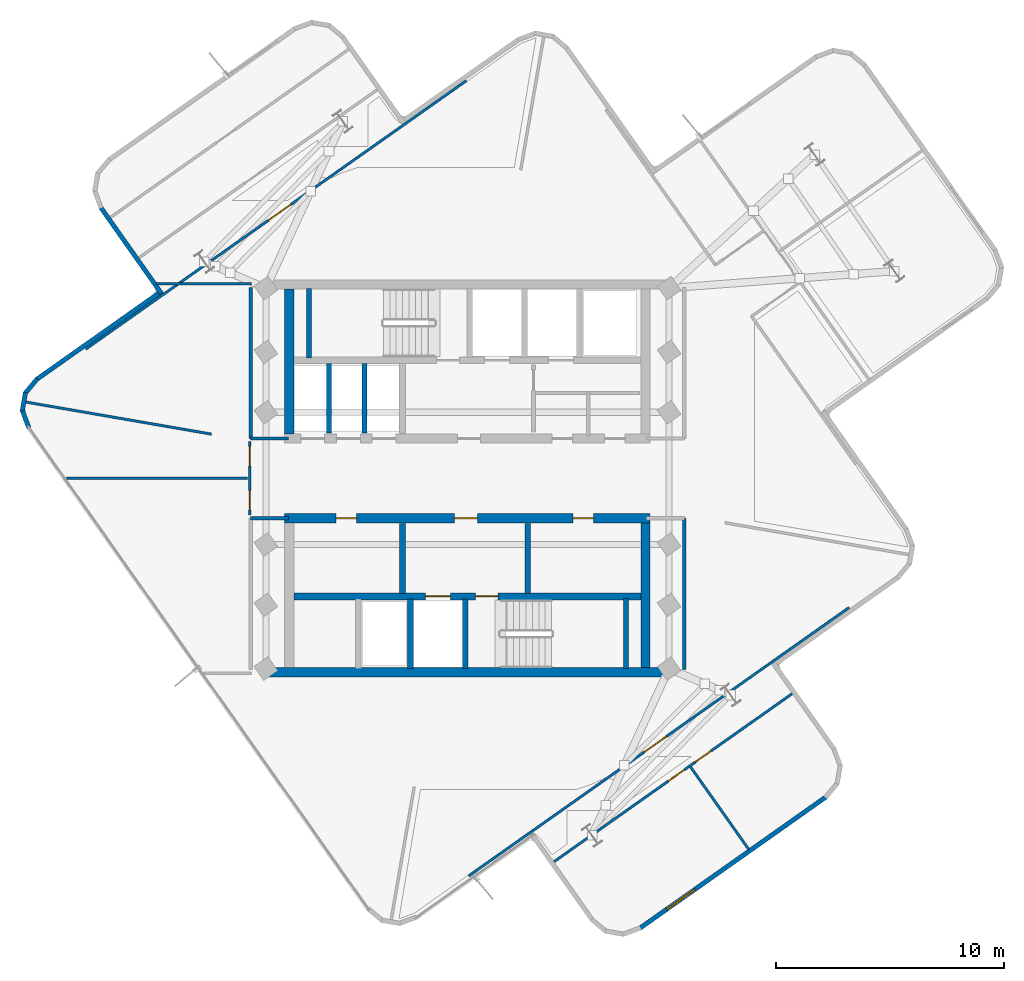
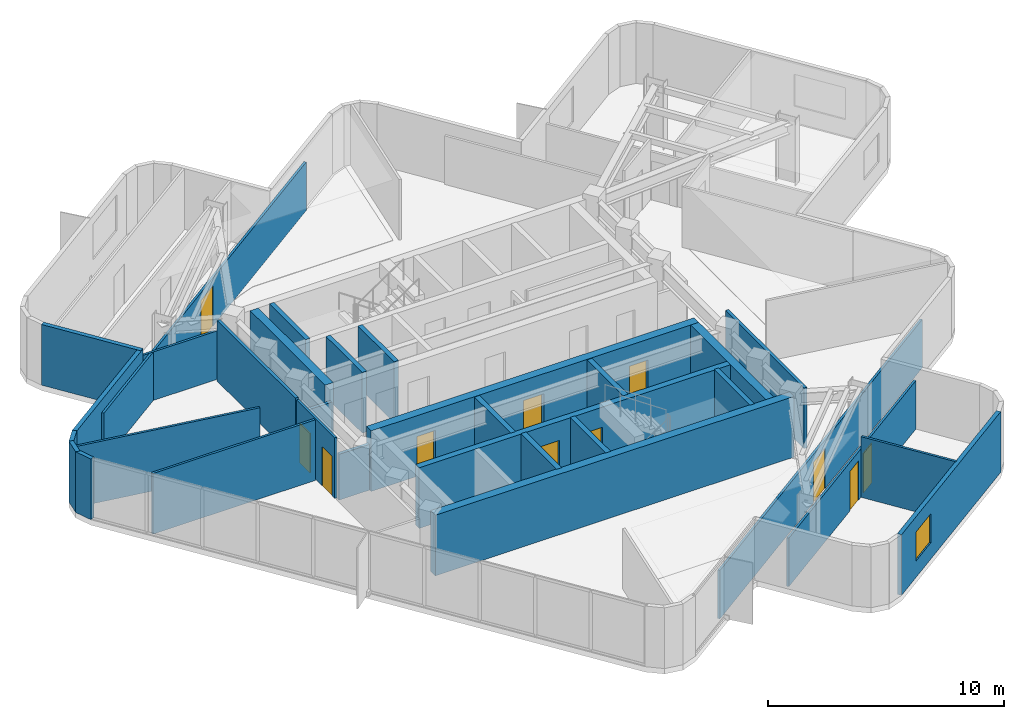
# One storey, part 5 of 9: 31 walls, 11 doors, 1 window, 12 openings.
"""IFC4 building model written with IfcOpenShell, lengths in metres."""

from ifc_helpers import new_model, si_unit, direction, frame, frame_2d, origin, place, context, subcontext, project, spatial, rectangle, extrude, material, layer, layer_set, type_object, element, fill, save


model = new_model("IFC4")

# Units and contexts
model_context = context("Model", 3, precision=1e-05, world=origin(), true_north=direction((0.0, 1.0)))
body_context = subcontext(model_context, "Body", "Model", "MODEL_VIEW")
ifc_project = project(units=[si_unit("LENGTHUNIT", "METRE"), si_unit("AREAUNIT", "SQUARE_METRE"), si_unit("VOLUMEUNIT", "CUBIC_METRE"), si_unit("PLANEANGLEUNIT", "RADIAN"), si_unit("MASSUNIT", "GRAM", prefix="KILO")], contexts=[model_context])

# Site, building, storey
site_placement = place(None, origin())
site = spatial("IfcSite", under=ifc_project, at=site_placement, CompositionType="ELEMENT")
building_placement = place(site_placement, origin())
building = spatial("IfcBuilding", under=site, at=building_placement, Name="Solmarez Civic Tower", CompositionType="ELEMENT")
storey_placement = place(building_placement, frame((0.0, 0.0, 222.300048828125)))
storey = spatial("IfcBuildingStorey", under=building, at=storey_placement, Name="L59", CompositionType="ELEMENT", Elevation=222.300048828125)

# Walls
ifc_material_1 = material(Name="Concrete C50/60", Category="concrete")
ifc_layer_1 = layer(ifc_material_1, 0.39990234375)
ifc_layer_set_1 = layer_set([ifc_layer_1], Name="Concrete C50/60")
wall_type_1 = type_object("IfcWallType", Name="WALL-CORE-400", PredefinedType="SHEAR", material=ifc_layer_set_1)
wall_1_placement = place(storey_placement, frame((-7.820068359375, 1.949951171875, 0.0), z_axis=(0.0, 0.0, 1.0), x_axis=(0.0, 1.0, 0.0)))
element("IfcWall", 1, at=wall_1_placement, inside=storey, type_object=wall_type_1, Name="L59 Split-Core Structural Wall NCW-W-L59", PredefinedType="SHEAR", context=body_context, shape_type="SweptSolid", body=[
    extrude(rectangle(XDim=6.360107421875, YDim=0.39990234375, at=frame_2d((3.18017578125, 0.0))), origin(), (0.0, 0.0, 1.0), 3.139892578125),
])
wall_2_placement = place(storey_placement, frame((8.780029296875, -8.510009765625, 0.0), z_axis=(0.0, 0.0, 1.0), x_axis=(-1.0, 0.0, 0.0)))
element("IfcWall", 2, at=wall_2_placement, inside=storey, type_object=wall_type_1, Name="L59 Split-Core Structural Wall SCW-S-L59", PredefinedType="SHEAR", context=body_context, shape_type="SweptSolid", body=[
    extrude(rectangle(XDim=17.56005859375, YDim=0.39990234375, at=frame_2d((8.780029296875, 0.0))), origin(), (0.0, 0.0, 1.0), 3.139892578125),
])

# Wall, openings, doors
wall_3_placement = place(storey_placement, frame((-8.02001953125, -1.75, 0.0), z_axis=(0.0, 0.0, 1.0), x_axis=(1.0, 0.0, 0.0)))
wall_3 = element("IfcWall", 3, at=wall_3_placement, inside=storey, type_object=wall_type_1, Name="L59 Split-Core Structural Wall SCW-N-L59", PredefinedType="SHEAR", context=body_context, shape_type="SweptSolid", body=[
    extrude(rectangle(XDim=16.0400390625, YDim=0.39990234375, at=frame_2d((8.02001953125, 0.0))), origin(), (0.0, 0.0, 1.0), 3.139892578125),
])
opening_1_placement = place(wall_3_placement, frame((7.449951171875, 0.0, 0.0)))
opening_1 = element("IfcOpeningElement", 4, at=opening_1_placement, cuts=wall_3, Name="Opening D-04", PredefinedType="OPENING", context=body_context, shape_type="SweptSolid", body=[
    extrude(rectangle(XDim=1.0, YDim=2.10009765625, at=frame_2d((0.5, 1.050048828125))), frame((0.0, 0.2099609375, 0.0), z_axis=(0.0, -1.0, 0.0), x_axis=(1.0, 0.0, 0.0)), (0.0, 0.0, 1.0), 0.419921875),
])
opening_2_placement = place(wall_3_placement, frame((12.64990234375, 0.0, 0.0)))
opening_2 = element("IfcOpeningElement", 5, at=opening_2_placement, cuts=wall_3, Name="Opening D-09", PredefinedType="OPENING", context=body_context, shape_type="SweptSolid", body=[
    extrude(rectangle(XDim=0.89990234375, YDim=2.06005859375, at=frame_2d((0.449951171875, 1.030029296875))), frame((0.0, 0.2099609375, 0.0), z_axis=(0.0, -1.0, 0.0), x_axis=(1.0, 0.0, 0.0)), (0.0, 0.0, 1.0), 0.419921875),
])
opening_3_placement = place(wall_3_placement, frame((2.25, 0.0, 0.0)))
opening_3 = element("IfcOpeningElement", 6, at=opening_3_placement, cuts=wall_3, Name="Opening D-09", PredefinedType="OPENING", context=body_context, shape_type="SweptSolid", body=[
    extrude(rectangle(XDim=0.89990234375, YDim=2.06005859375, at=frame_2d((0.449951171875, 1.030029296875))), frame((0.0, 0.2099609375, 0.0), z_axis=(0.0, -1.0, 0.0), x_axis=(1.0, 0.0, 0.0)), (0.0, 0.0, 1.0), 0.419921875),
])
ifc_material_2 = material(Name="Steel-Faced Acoustic Fire Door", Category="steel")
door_type_1 = type_object("IfcDoorType", Name="DOOR-FD60-1000", OperationType="NOTDEFINED", PredefinedType="DOOR", material=ifc_material_2)
door_1_placement = place(opening_1_placement, origin())
door_1 = element("IfcDoor", 7, at=door_1_placement, inside=storey, type_object=door_type_1, Name="L59 South Firefighting Lobby Door", OperationType="SINGLE_SWING_LEFT", OverallHeight=2.10009765625, OverallWidth=1.0, PredefinedType="DOOR", context=body_context, shape_type="SweptSolid", body=[
    extrude(rectangle(XDim=1.0, YDim=2.10009765625, at=frame_2d((0.5, 1.050048828125))), frame((0.0, 0.02490234375, 0.0), z_axis=(0.0, -1.0, 0.0), x_axis=(1.0, 0.0, 0.0)), (0.0, 0.0, 1.0), 0.050048828125),
])
fill(opening_1, door_1)
ifc_material_3 = material(Name="Fire-Rated Service Core Door", Category="wood")
door_type_2 = type_object("IfcDoorType", Name="DOOR-FD60-900", OperationType="NOTDEFINED", PredefinedType="DOOR", material=ifc_material_3)
door_2_placement = place(opening_2_placement, origin())
door_2 = element("IfcDoor", 8, at=door_2_placement, inside=storey, type_object=door_type_2, Name="L59 Freed Hoistway Mailroom Door", OperationType="SINGLE_SWING_LEFT", OverallHeight=2.06005859375, OverallWidth=0.89990234375, PredefinedType="DOOR", context=body_context, shape_type="SweptSolid", body=[
    extrude(rectangle(XDim=0.89990234375, YDim=2.06005859375, at=frame_2d((0.449951171875, 1.030029296875))), frame((0.0, 0.02490234375, 0.0), z_axis=(0.0, -1.0, 0.0), x_axis=(1.0, 0.0, 0.0)), (0.0, 0.0, 1.0), 0.050048828125),
])
fill(opening_2, door_2)
door_3_placement = place(opening_3_placement, origin())
door_3 = element("IfcDoor", 9, at=door_3_placement, inside=storey, type_object=door_type_2, Name="L59 Delegation Tea Pantry Door", OperationType="SINGLE_SWING_RIGHT", OverallHeight=2.06005859375, OverallWidth=0.89990234375, PredefinedType="DOOR", context=body_context, shape_type="SweptSolid", body=[
    extrude(rectangle(XDim=0.89990234375, YDim=2.06005859375, at=frame_2d((0.449951171875, 1.030029296875))), frame((0.0, 0.02490234375, 0.0), z_axis=(0.0, -1.0, 0.0), x_axis=(1.0, 0.0, 0.0)), (0.0, 0.0, 1.0), 0.050048828125),
])
fill(opening_3, door_3)

# Walls
wall_4_placement = place(storey_placement, frame((7.820068359375, -1.949951171875, 0.0), z_axis=(0.0, 0.0, 1.0), x_axis=(0.0, -1.0, 0.0)))
element("IfcWall", 10, at=wall_4_placement, inside=storey, type_object=wall_type_1, Name="L59 Split-Core Structural Wall SCW-E-L59", PredefinedType="SHEAR", context=body_context, shape_type="SweptSolid", body=[
    extrude(rectangle(XDim=6.360107421875, YDim=0.39990234375, at=frame_2d((3.18017578125, 0.0))), origin(), (0.0, 0.0, 1.0), 3.139892578125),
])
ifc_material_4 = material(Name="Precast concrete C40/50", Category="concrete")
ifc_layer_2 = layer(ifc_material_4, 0.199951171875)
ifc_layer_set_2 = layer_set([ifc_layer_2], Name="Precast concrete C40/50")
wall_type_2 = type_object("IfcWallType", Name="WALL-EXT-200", PredefinedType="SOLIDWALL", material=ifc_layer_set_2)
wall_5_placement = place(storey_placement, frame((-19.256103515625, 2.218994140625, 0.0), z_axis=(0.0, 0.0, 1.0), x_axis=(-0.345975487894, 0.938243551417, 0.0)))
element("IfcWall", 11, at=wall_5_placement, inside=storey, type_object=wall_type_2, Name="L59 Exterior Precast Wall 7", PredefinedType="SOLIDWALL", context=body_context, shape_type="SweptSolid", body=[
    extrude(rectangle(XDim=0.837646484375, YDim=0.199951171875, at=frame_2d((0.4189453125, 0.0))), origin(), (0.0, 0.0, 1.0), 3.139892578125),
])
wall_6_placement = place(storey_placement, frame((-19.541015625, 2.95703125, 0.0), z_axis=(0.0, 0.0, 1.0), x_axis=(0.169867275979, 0.985466949497, 0.0)))
element("IfcWall", 12, at=wall_6_placement, inside=storey, type_object=wall_type_2, Name="L59 Exterior Precast Wall 8", PredefinedType="SOLIDWALL", context=body_context, shape_type="SweptSolid", body=[
    extrude(rectangle(XDim=0.824951171875, YDim=0.199951171875, at=frame_2d((0.41259765625, 0.0))), origin(), (0.0, 0.0, 1.0), 3.139892578125),
])
wall_7_placement = place(storey_placement, frame((-19.4208984375, 3.72607421875, 0.0), z_axis=(0.0, 0.0, 1.0), x_axis=(0.639610986305, 0.768698761673, 0.0)))
element("IfcWall", 13, at=wall_7_placement, inside=storey, type_object=wall_type_2, Name="L59 Exterior Precast Wall 9", PredefinedType="SOLIDWALL", context=body_context, shape_type="SweptSolid", body=[
    extrude(rectangle(XDim=0.837890625, YDim=0.199951171875, at=frame_2d((0.4189453125, 0.0))), origin(), (0.0, 0.0, 1.0), 3.139892578125),
])
wall_8_placement = place(storey_placement, frame((-18.9208984375, 4.3369140625, 0.0), z_axis=(0.0, 0.0, 1.0), x_axis=(0.817167578816, 0.576400163196, 0.0)))
element("IfcWall", 14, at=wall_8_placement, inside=storey, type_object=wall_type_2, Name="L59 Exterior Precast Wall 10", PredefinedType="SOLIDWALL", context=body_context, shape_type="SweptSolid", body=[
    extrude(rectangle(XDim=6.740234375, YDim=0.199951171875, at=frame_2d((3.3701171875, 0.0))), origin(), (0.0, 0.0, 1.0), 3.139892578125),
])
wall_9_placement = place(storey_placement, frame((-13.431884765625, 8.111083984375, 0.0), z_axis=(0.0, 0.0, 1.0), x_axis=(-0.576445639344, 0.817135499707, 0.0)))
element("IfcWall", 15, at=wall_9_placement, inside=storey, type_object=wall_type_2, Name="L59 Exterior Precast Wall 13", PredefinedType="SOLIDWALL", context=body_context, shape_type="SweptSolid", body=[
    extrude(rectangle(XDim=4.640625, YDim=0.199951171875, at=frame_2d((2.3203125, 0.0))), origin(), (0.0, 0.0, 1.0), 3.139892578125),
])

# Wall, opening, window
wall_10_placement = place(storey_placement, frame((15.748046875, -13.97802734375, 0.0), z_axis=(0.0, 0.0, 1.0), x_axis=(-0.817168991675, -0.576398160168, 0.0)))
wall_10 = element("IfcWall", 16, at=wall_10_placement, inside=storey, type_object=wall_type_2, Name="L59 Exterior Precast Wall 53", PredefinedType="SOLIDWALL", context=body_context, shape_type="SweptSolid", body=[
    extrude(rectangle(XDim=10.022216796875, YDim=0.199951171875, at=frame_2d((5.01123046875, 0.0))), origin(), (0.0, 0.0, 1.0), 3.139892578125),
])
opening_4_placement = place(wall_10_placement, frame((7.068115234375, 0.0, 0.85009765625)))
opening_4 = element("IfcOpeningElement", 17, at=opening_4_placement, cuts=wall_10, Name="Opening W-14", PredefinedType="OPENING", context=body_context, shape_type="SweptSolid", body=[
    extrude(rectangle(XDim=1.5, YDim=1.5, at=frame_2d((0.75, 0.75))), frame((0.0, 0.10986328125, 0.0), z_axis=(0.0, -1.0, 0.0), x_axis=(1.0, 0.0, 0.0)), (0.0, 0.0, 1.0), 0.219970703125),
])
ifc_material_5 = material(Name="Solar Control Bronze-Tinted Insulating Glass", Category="glass")
window_type = type_object("IfcWindowType", Name="WIN-1500X1500", PartitioningType="SINGLE_PANEL", PredefinedType="WINDOW", material=ifc_material_5)
window_placement = place(opening_4_placement, origin())
window = element("IfcWindow", 18, at=window_placement, inside=storey, type_object=window_type, Name="L59 Exterior Facade Window 53", OverallHeight=1.5, OverallWidth=1.5, PartitioningType="SINGLE_PANEL", PredefinedType="WINDOW", context=body_context, shape_type="SweptSolid", body=[
    extrude(rectangle(XDim=1.5, YDim=1.5, at=frame_2d((0.75, 0.75))), frame((0.0, 0.030029296875, 0.0), z_axis=(0.0, -1.0, 0.0), x_axis=(1.0, 0.0, 0.0)), (0.0, 0.0, 1.0), 0.06005859375),
])
fill(opening_4, window)

# Walls
ifc_material_6 = material(Name="Gypsum Board Acoustic Steel-Stud Partition", Category="steel")
ifc_layer_3 = layer(ifc_material_6, 0.14990234375)
ifc_layer_set_3 = layer_set([ifc_layer_3], Name="Gypsum Board Acoustic Steel-Stud Partition")
wall_type_3 = type_object("IfcWallType", Name="WALL-INT-FIRE-150", PredefinedType="PARTITIONING", material=ifc_layer_set_3)
wall_11_placement = place(storey_placement, frame((-9.52001953125, 1.75, 0.0), z_axis=(0.0, 0.0, 1.0), x_axis=(0.0, 1.0, 0.0)))
element("IfcWall", 19, at=wall_11_placement, inside=storey, type_object=wall_type_3, Name="L59 Interior Partition CHW-L59-WN1", PredefinedType="PARTITIONING", context=body_context, shape_type="SweptSolid", body=[
    extrude(rectangle(XDim=6.6298828125, YDim=0.14990234375, at=frame_2d((3.31494140625, 0.0))), origin(), (0.0, 0.0, 1.0), 3.139892578125),
])
for number, where, z_axis, x_axis, name in (
    (20, (-7.85009765625, 1.75, 0.0), (0.0, 0.0, 1.0), (-1.0, 0.0, 0.0), "L59 Interior Partition CHW-L59-WN3"),
    (21, (-7.85009765625, -1.75, 0.0), (0.0, 0.0, 1.0), (-1.0, 0.0, 0.0), "L59 Interior Partition CHW-L59-WS3"),
):
    element("IfcWall", number, at=place(storey_placement, frame(where, z_axis=z_axis, x_axis=x_axis)), inside=storey, type_object=wall_type_3, Name=name, PredefinedType="PARTITIONING", context=body_context, shape_type="SweptSolid", body=[
        extrude(rectangle(XDim=1.669921875, YDim=0.14990234375, at=frame_2d((0.8349609375, 0.0))), origin(), (0.0, 0.0, 1.0), 2.369873046875),
    ])
wall_12_placement = place(storey_placement, frame((9.52001953125, -8.3798828125, 0.0), z_axis=(0.0, 0.0, 1.0), x_axis=(0.0, 1.0, 0.0)))
element("IfcWall", 22, at=wall_12_placement, inside=storey, type_object=wall_type_3, Name="L59 Interior Partition CHW-L59-ES1", PredefinedType="PARTITIONING", context=body_context, shape_type="SweptSolid", body=[
    extrude(rectangle(XDim=6.6298828125, YDim=0.14990234375, at=frame_2d((3.31494140625, 0.0))), origin(), (0.0, 0.0, 1.0), 3.139892578125),
])
ifc_layer_4 = layer(ifc_material_6, 0.110107421875)
ifc_layer_set_4 = layer_set([ifc_layer_4], Name="Gypsum Board Acoustic Steel-Stud Partition")
wall_type_4 = type_object("IfcWallType", Name="WALL-INT-PART-110", PredefinedType="PARTITIONING", material=ifc_layer_set_4)
wall_13_placement = place(storey_placement, frame((-17.60400390625, 0.0, 0.0), z_axis=(0.0, 0.0, 1.0), x_axis=(1.0, 0.0, 0.0)))
element("IfcWall", 23, at=wall_13_placement, inside=storey, type_object=wall_type_4, Name="L59 Interior Partition PT-L59-WH-DIV", PredefinedType="PARTITIONING", context=body_context, shape_type="SweptSolid", body=[
    extrude(rectangle(XDim=7.944091796875, YDim=0.110107421875, at=frame_2d((3.97216796875, 0.0))), origin(), (0.0, 0.0, 1.0), 3.139892578125),
])
wall_14_placement = place(storey_placement, frame((-13.662109375, 8.550048828125, 0.0), z_axis=(0.0, 0.0, 1.0), x_axis=(1.0, 0.0, 0.0)))
element("IfcWall", 24, at=wall_14_placement, inside=storey, type_object=wall_type_4, Name="L59 Interior Partition PT-L59-WH-BN", PredefinedType="PARTITIONING", context=body_context, shape_type="SweptSolid", body=[
    extrude(rectangle(XDim=4.18212890625, YDim=0.110107421875, at=frame_2d((2.091064453125, 0.0))), origin(), (0.0, 0.0, 1.0), 2.510009765625),
])

# Wall, openings, doors
wall_15_placement = place(storey_placement, frame((-9.56005859375, -1.6201171875, 0.0), z_axis=(0.0, 0.0, 1.0), x_axis=(0.0, 1.0, 0.0)))
wall_15 = element("IfcWall", 25, at=wall_15_placement, inside=storey, type_object=wall_type_4, Name="L59 Interior Partition PT-L59-WH-ENT", PredefinedType="PARTITIONING", context=body_context, shape_type="SweptSolid", body=[
    extrude(rectangle(XDim=3.240234375, YDim=0.110107421875, at=frame_2d((1.6201171875, 0.0))), origin(), (0.0, 0.0, 1.0), 3.139892578125),
])
opening_5_placement = place(wall_15_placement, frame((0.219970703125, 0.0, 0.0)))
opening_5 = element("IfcOpeningElement", 26, at=opening_5_placement, cuts=wall_15, Name="Opening D-14", PredefinedType="OPENING", context=body_context, shape_type="SweptSolid", body=[
    extrude(rectangle(XDim=0.860107421875, YDim=2.0400390625, at=frame_2d((0.43017578125, 1.02001953125))), frame((0.0, 0.06494140625, 0.0), z_axis=(0.0, -1.0, 0.0), x_axis=(1.0, 0.0, 0.0)), (0.0, 0.0, 1.0), 0.130126953125),
])
opening_6_placement = place(wall_15_placement, frame((2.159912109375, 0.0, 0.0)))
opening_6 = element("IfcOpeningElement", 27, at=opening_6_placement, cuts=wall_15, Name="Opening D-14", PredefinedType="OPENING", context=body_context, shape_type="SweptSolid", body=[
    extrude(rectangle(XDim=0.860107421875, YDim=2.0400390625, at=frame_2d((0.43017578125, 1.02001953125))), frame((0.0, 0.06494140625, 0.0), z_axis=(0.0, -1.0, 0.0), x_axis=(1.0, 0.0, 0.0)), (0.0, 0.0, 1.0), 0.130126953125),
])
ifc_material_7 = material(Name="Timber Storage and Pantry Door", Category="wood")
door_type_3 = type_object("IfcDoorType", Name="DOOR-INT-850", OperationType="NOTDEFINED", PredefinedType="DOOR", material=ifc_material_7)
door_4_placement = place(opening_5_placement, origin())
door_4 = element("IfcDoor", 28, at=door_4_placement, inside=storey, type_object=door_type_3, Name="L59 Legal Counselling Room West Second Door", OperationType="SINGLE_SWING_RIGHT", OverallHeight=2.0400390625, OverallWidth=0.860107421875, PredefinedType="DOOR", context=body_context, shape_type="SweptSolid", body=[
    extrude(rectangle(XDim=0.860107421875, YDim=2.0400390625, at=frame_2d((0.43017578125, 1.02001953125))), frame((0.0, 0.02490234375, 0.0), z_axis=(0.0, -1.0, 0.0), x_axis=(1.0, 0.0, 0.0)), (0.0, 0.0, 1.0), 0.050048828125),
])
fill(opening_5, door_4)
door_5_placement = place(opening_6_placement, origin())
door_5 = element("IfcDoor", 29, at=door_5_placement, inside=storey, type_object=door_type_3, Name="L59 Directorate Office West First Door", OperationType="SINGLE_SWING_LEFT", OverallHeight=2.0400390625, OverallWidth=0.860107421875, PredefinedType="DOOR", context=body_context, shape_type="SweptSolid", body=[
    extrude(rectangle(XDim=0.860107421875, YDim=2.0400390625, at=frame_2d((0.43017578125, 1.02001953125))), frame((0.0, 0.02490234375, 0.0), z_axis=(0.0, -1.0, 0.0), x_axis=(1.0, 0.0, 0.0)), (0.0, 0.0, 1.0), 0.050048828125),
])
fill(opening_6, door_5)

# Wall
wall_16_placement = place(storey_placement, frame((-11.23388671875, 1.93994140625, 0.0), z_axis=(0.0, 0.0, 1.0), x_axis=(-0.985400402951, 0.170252887973, 0.0)))
element("IfcWall", 30, at=wall_16_placement, inside=storey, type_object=wall_type_4, Name="L59 Interior Partition PT-L59-QDIV-2", PredefinedType="PARTITIONING", context=body_context, shape_type="SweptSolid", body=[
    extrude(rectangle(XDim=8.294189453125, YDim=0.110107421875, at=frame_2d((4.14697265625, 0.0))), origin(), (0.0, 0.0, 1.0), 3.139892578125),
])

# Wall, opening, door
wall_17_placement = place(storey_placement, frame((-16.751953125, 5.6708984375, 0.0), z_axis=(0.0, 0.0, 1.0), x_axis=(0.81715881447, 0.576412588285, 0.0)))
wall_17 = element("IfcWall", 31, at=wall_17_placement, inside=storey, type_object=wall_type_4, Name="L59 Interior Partition PT-L59-N-ENT", PredefinedType="PARTITIONING", context=body_context, shape_type="SweptSolid", body=[
    extrude(rectangle(XDim=20.440185546875, YDim=0.110107421875, at=frame_2d((10.22021484375, 0.0))), origin(), (0.0, 0.0, 1.0), 2.510009765625),
])
opening_7_placement = place(wall_17_placement, frame((9.820068359375, 0.0, 0.0)))
opening_7 = element("IfcOpeningElement", 32, at=opening_7_placement, cuts=wall_17, Name="Opening D-11", PredefinedType="OPENING", context=body_context, shape_type="SweptSolid", body=[
    extrude(rectangle(XDim=1.199951171875, YDim=2.10009765625, at=frame_2d((0.60009765625, 1.050048828125))), frame((0.0, 0.06494140625, 0.0), z_axis=(0.0, -1.0, 0.0), x_axis=(1.0, 0.0, 0.0)), (0.0, 0.0, 1.0), 0.130126953125),
])
ifc_material_8 = material(Name="Glazed-Vision Acoustic Chamber Door", Category="wood")
door_type_4 = type_object("IfcDoorType", Name="DOOR-INT-1200", OperationType="NOTDEFINED", PredefinedType="DOOR", material=ifc_material_8)
door_6_placement = place(opening_7_placement, origin())
door_6 = element("IfcDoor", 33, at=door_6_placement, inside=storey, type_object=door_type_4, Name="L59 Policy Administration Office First North Door", OperationType="SINGLE_SWING_LEFT", OverallHeight=2.10009765625, OverallWidth=1.199951171875, PredefinedType="DOOR", context=body_context, shape_type="SweptSolid", body=[
    extrude(rectangle(XDim=1.199951171875, YDim=2.10009765625, at=frame_2d((0.60009765625, 1.050048828125))), frame((0.0, 0.02490234375, 0.0), z_axis=(0.0, -1.0, 0.0), x_axis=(1.0, 0.0, 0.0)), (0.0, 0.0, 1.0), 0.050048828125),
])
fill(opening_7, door_6)

wall_18_placement = place(storey_placement, frame((16.751953125, -5.6708984375, 0.0), z_axis=(0.0, 0.0, 1.0), x_axis=(-0.81715881447, -0.576412588285, 0.0)))
wall_18 = element("IfcWall", 34, at=wall_18_placement, inside=storey, type_object=wall_type_4, Name="L59 Interior Partition PT-L59-S-ENT", PredefinedType="PARTITIONING", context=body_context, shape_type="SweptSolid", body=[
    extrude(rectangle(XDim=20.440185546875, YDim=0.110107421875, at=frame_2d((10.22021484375, 0.0))), origin(), (0.0, 0.0, 1.0), 2.510009765625),
])
opening_8_placement = place(wall_18_placement, frame((9.820068359375, 0.0, 0.0)))
opening_8 = element("IfcOpeningElement", 35, at=opening_8_placement, cuts=wall_18, Name="Opening D-11", PredefinedType="OPENING", context=body_context, shape_type="SweptSolid", body=[
    extrude(rectangle(XDim=1.199951171875, YDim=2.10009765625, at=frame_2d((0.60009765625, 1.050048828125))), frame((0.0, 0.06494140625, 0.0), z_axis=(0.0, -1.0, 0.0), x_axis=(1.0, 0.0, 0.0)), (0.0, 0.0, 1.0), 0.130126953125),
])
door_7_placement = place(opening_8_placement, origin())
door_7 = element("IfcDoor", 36, at=door_7_placement, inside=storey, type_object=door_type_4, Name="L59 Legal Counselling Room First South Door", OperationType="SINGLE_SWING_LEFT", OverallHeight=2.10009765625, OverallWidth=1.199951171875, PredefinedType="DOOR", context=body_context, shape_type="SweptSolid", body=[
    extrude(rectangle(XDim=1.199951171875, YDim=2.10009765625, at=frame_2d((0.60009765625, 1.050048828125))), frame((0.0, 0.02490234375, 0.0), z_axis=(0.0, -1.0, 0.0), x_axis=(1.0, 0.0, 0.0)), (0.0, 0.0, 1.0), 0.050048828125),
])
fill(opening_8, door_7)

# Wall
wall_19_placement = place(storey_placement, frame((9.794921875, -12.6708984375, 0.0), z_axis=(0.0, 0.0, 1.0), x_axis=(0.576531911777, -0.817074632272, 0.0)))
element("IfcWall", 37, at=wall_19_placement, inside=storey, type_object=wall_type_4, Name="L59 Interior Partition PT-L59-S-TM3", PredefinedType="PARTITIONING", context=body_context, shape_type="SweptSolid", body=[
    extrude(rectangle(XDim=4.435302734375, YDim=0.110107421875, at=frame_2d((2.2177734375, 0.0))), origin(), (0.0, 0.0, 1.0), 3.139892578125),
])

# Wall, openings, doors
wall_20_placement = place(storey_placement, frame((3.76611328125, -16.85009765625, 0.0), z_axis=(0.0, 0.0, 1.0), x_axis=(0.817131323803, 0.576451558815, 0.0)))
wall_20 = element("IfcWall", 38, at=wall_20_placement, inside=storey, type_object=wall_type_4, Name="L59 Interior Partition PT-L59-S-SCUT", PredefinedType="PARTITIONING", context=body_context, shape_type="SweptSolid", body=[
    extrude(rectangle(XDim=12.870361328125, YDim=0.110107421875, at=frame_2d((6.43505859375, 0.0))), origin(), (0.0, 0.0, 1.0), 2.510009765625),
])
opening_9_placement = place(wall_20_placement, frame((6.18505859375, 0.0, 0.0)))
opening_9 = element("IfcOpeningElement", 39, at=opening_9_placement, cuts=wall_20, Name="Opening D-14", PredefinedType="OPENING", context=body_context, shape_type="SweptSolid", body=[
    extrude(rectangle(XDim=0.860107421875, YDim=2.0400390625, at=frame_2d((0.43017578125, 1.02001953125))), frame((0.0, 0.06494140625, 0.0), z_axis=(0.0, -1.0, 0.0), x_axis=(1.0, 0.0, 0.0)), (0.0, 0.0, 1.0), 0.130126953125),
])
opening_10_placement = place(wall_20_placement, frame((7.625, 0.0, 0.0)))
opening_10 = element("IfcOpeningElement", 40, at=opening_10_placement, cuts=wall_20, Name="Opening D-14", PredefinedType="OPENING", context=body_context, shape_type="SweptSolid", body=[
    extrude(rectangle(XDim=0.860107421875, YDim=2.0400390625, at=frame_2d((0.43017578125, 1.02001953125))), frame((0.0, 0.06494140625, 0.0), z_axis=(0.0, -1.0, 0.0), x_axis=(1.0, 0.0, 0.0)), (0.0, 0.0, 1.0), 0.130126953125),
])
door_8_placement = place(opening_9_placement, origin())
door_8 = element("IfcDoor", 41, at=door_8_placement, inside=storey, type_object=door_type_3, Name="L59 Directorate Office Third South Door", OperationType="SINGLE_SWING_RIGHT", OverallHeight=2.0400390625, OverallWidth=0.860107421875, PredefinedType="DOOR", context=body_context, shape_type="SweptSolid", body=[
    extrude(rectangle(XDim=0.860107421875, YDim=2.0400390625, at=frame_2d((0.43017578125, 1.02001953125))), frame((0.0, 0.02490234375, 0.0), z_axis=(0.0, -1.0, 0.0), x_axis=(1.0, 0.0, 0.0)), (0.0, 0.0, 1.0), 0.050048828125),
])
fill(opening_9, door_8)
door_9_placement = place(opening_10_placement, origin())
door_9 = element("IfcDoor", 42, at=door_9_placement, inside=storey, type_object=door_type_3, Name="L59 Policy Administration Office Second South Door", OperationType="SINGLE_SWING_LEFT", OverallHeight=2.0400390625, OverallWidth=0.860107421875, PredefinedType="DOOR", context=body_context, shape_type="SweptSolid", body=[
    extrude(rectangle(XDim=0.860107421875, YDim=2.0400390625, at=frame_2d((0.43017578125, 1.02001953125))), frame((0.0, 0.02490234375, 0.0), z_axis=(0.0, -1.0, 0.0), x_axis=(1.0, 0.0, 0.0)), (0.0, 0.0, 1.0), 0.050048828125),
])
fill(opening_10, door_9)

ifc_layer_5 = layer(ifc_material_1, 0.300048828125)
ifc_layer_set_5 = layer_set([ifc_layer_5], Name="Concrete C50/60")
wall_type_5 = type_object("IfcWallType", Name="WALL-STR-300", PredefinedType="SOLIDWALL", material=ifc_layer_set_5)
wall_21_placement = place(storey_placement, frame((-7.6201171875, -5.179931640625, 0.0), z_axis=(0.0, 0.0, 1.0), x_axis=(1.0, 0.0, 0.0)))
wall_21 = element("IfcWall", 43, at=wall_21_placement, inside=storey, type_object=wall_type_5, Name="L59 Split-Core Structural Wall SCW-M-L59", PredefinedType="SOLIDWALL", context=body_context, shape_type="SweptSolid", body=[
    extrude(rectangle(XDim=15.240234375, YDim=0.300048828125, at=frame_2d((7.6201171875, 0.0))), origin(), (0.0, 0.0, 1.0), 3.139892578125),
])
opening_11_placement = place(wall_21_placement, frame((5.77001953125, 0.0, 0.0)))
opening_11 = element("IfcOpeningElement", 44, at=opening_11_placement, cuts=wall_21, Name="Opening LD-02", PredefinedType="OPENING", context=body_context, shape_type="SweptSolid", body=[
    extrude(rectangle(XDim=1.10009765625, YDim=2.14990234375, at=frame_2d((0.550048828125, 1.074951171875))), frame((0.0, 0.159912109375, 0.0), z_axis=(0.0, -1.0, 0.0), x_axis=(1.0, 0.0, 0.0)), (0.0, 0.0, 1.0), 0.320068359375),
])
opening_12_placement = place(wall_21_placement, frame((7.969970703125, 0.0, 0.0)))
opening_12 = element("IfcOpeningElement", 45, at=opening_12_placement, cuts=wall_21, Name="Opening D-05", PredefinedType="OPENING", context=body_context, shape_type="SweptSolid", body=[
    extrude(rectangle(XDim=1.0, YDim=2.10009765625, at=frame_2d((0.5, 1.050048828125))), frame((0.0, 0.159912109375, 0.0), z_axis=(0.0, -1.0, 0.0), x_axis=(1.0, 0.0, 0.0)), (0.0, 0.0, 1.0), 0.320068359375),
])
ifc_material_9 = material(Name="Fire-Rated Stairwell Exit Door", Category="wood")
door_type_5 = type_object("IfcDoorType", Name="DOOR-FD90-1000", OperationType="NOTDEFINED", PredefinedType="DOOR", material=ifc_material_9)
door_10_placement = place(opening_12_placement, origin())
door_10 = element("IfcDoor", 46, at=door_10_placement, inside=storey, type_object=door_type_5, Name="L59 South Exit Stair Door ST-2", OperationType="SINGLE_SWING_LEFT", OverallHeight=2.10009765625, OverallWidth=1.0, PredefinedType="DOOR", context=body_context, shape_type="SweptSolid", body=[
    extrude(rectangle(XDim=1.0, YDim=2.10009765625, at=frame_2d((0.5, 1.050048828125))), frame((0.0, 0.02490234375, 0.0), z_axis=(0.0, -1.0, 0.0), x_axis=(1.0, 0.0, 0.0)), (0.0, 0.0, 1.0), 0.050048828125),
])
fill(opening_12, door_10)
ifc_material_10 = material(Name="Stainless Firefighting Lift Landing Sliding Door", Category="aluminium")
door_type_6 = type_object("IfcDoorType", Name="DOOR-LD-FF-1100", OperationType="DOUBLE_DOOR_SLIDING", PredefinedType="DOOR", material=ifc_material_10)
door_11_placement = place(opening_11_placement, origin())
door_11 = element("IfcDoor", 47, at=door_11_placement, inside=storey, type_object=door_type_6, Name="L59 Firefighting Lift Landing Door FFL-2", OperationType="DOUBLE_DOOR_SLIDING", OverallHeight=2.14990234375, OverallWidth=1.10009765625, PredefinedType="DOOR", context=body_context, shape_type="SweptSolid", body=[
    extrude(rectangle(XDim=1.10009765625, YDim=2.14990234375, at=frame_2d((0.550048828125, 1.074951171875))), frame((0.0, 0.02490234375, 0.0), z_axis=(0.0, -1.0, 0.0), x_axis=(1.0, 0.0, 0.0)), (0.0, 0.0, 1.0), 0.050048828125),
])
fill(opening_11, door_11)

# Walls
for number, where, z_axis, x_axis, name in (
    (48, (-6.949951171875, 5.280029296875, 0.0), (0.0, 0.0, 1.0), (0.0, 1.0, 0.0), "L59 Split-Core Structural Wall SHW-NW-L59"),
    (49, (6.949951171875, -8.340087890625, 0.0), (0.0, 0.0, 1.0), (0.0, 1.0, 0.0), "L59 Split-Core Structural Wall SHW-SE-L59"),
):
    element("IfcWall", number, at=place(storey_placement, frame(where, z_axis=z_axis, x_axis=x_axis)), inside=storey, type_object=wall_type_5, Name=name, PredefinedType="SOLIDWALL", context=body_context, shape_type="SweptSolid", body=[
        extrude(rectangle(XDim=3.06005859375, YDim=0.219970703125, at=frame_2d((1.530029296875, 0.0))), origin(), (0.0, 0.0, 1.0), 3.139892578125),
    ])
for number, where, z_axis, x_axis, name in (
    (50, (-0.10009765625, -8.340087890625, 0.0), (0.0, 0.0, 1.0), (0.0, 1.0, 0.0), "L59 Split-Core Structural Wall SHW-S1-L59"),
    (51, (-2.5, -8.340087890625, 0.0), (0.0, 0.0, 1.0), (0.0, 1.0, 0.0), "L59 Split-Core Structural Wall SHW-S2-L59"),
):
    element("IfcWall", number, at=place(storey_placement, frame(where, z_axis=z_axis, x_axis=x_axis)), inside=storey, type_object=wall_type_5, Name=name, PredefinedType="SOLIDWALL", context=body_context, shape_type="SweptSolid", body=[
        extrude(rectangle(XDim=3.0400390625, YDim=0.25, at=frame_2d((1.52001953125, 0.0))), origin(), (0.0, 0.0, 1.0), 3.139892578125),
    ])
for number, where, z_axis, x_axis, name in (
    (52, (-2.85009765625, -5.050048828125, 0.0), (0.0, 0.0, 1.0), (0.0, 1.0, 0.0), "L59 Split-Core Structural Wall SHW-SL1-L59"),
    (53, (2.64990234375, -5.050048828125, 0.0), (0.0, 0.0, 1.0), (0.0, 1.0, 0.0), "L59 Split-Core Structural Wall SHW-SL2-L59"),
):
    element("IfcWall", number, at=place(storey_placement, frame(where, z_axis=z_axis, x_axis=x_axis)), inside=storey, type_object=wall_type_5, Name=name, PredefinedType="SOLIDWALL", context=body_context, shape_type="SweptSolid", body=[
        extrude(rectangle(XDim=3.070068359375, YDim=0.25, at=frame_2d((1.53515625, 0.0))), origin(), (0.0, 0.0, 1.0), 3.139892578125),
    ])
for number, where, z_axis, x_axis, name in (
    (54, (-6.080078125, 1.97998046875, 0.0), (0.0, 0.0, 1.0), (0.0, 1.0, 0.0), "L59 Split-Core Structural Wall SHW-PLH-L59-1"),
    (55, (-4.52001953125, 1.97998046875, 0.0), (0.0, 0.0, 1.0), (0.0, 1.0, 0.0), "L59 Split-Core Structural Wall SHW-PLH-L59-2"),
):
    element("IfcWall", number, at=place(storey_placement, frame(where, z_axis=z_axis, x_axis=x_axis)), inside=storey, type_object=wall_type_5, Name=name, PredefinedType="SOLIDWALL", context=body_context, shape_type="SweptSolid", body=[
        extrude(rectangle(XDim=3.070068359375, YDim=0.219970703125, at=frame_2d((1.53515625, 0.0))), origin(), (0.0, 0.0, 1.0), 3.139892578125),
    ])

save(model, "model.ifc")
